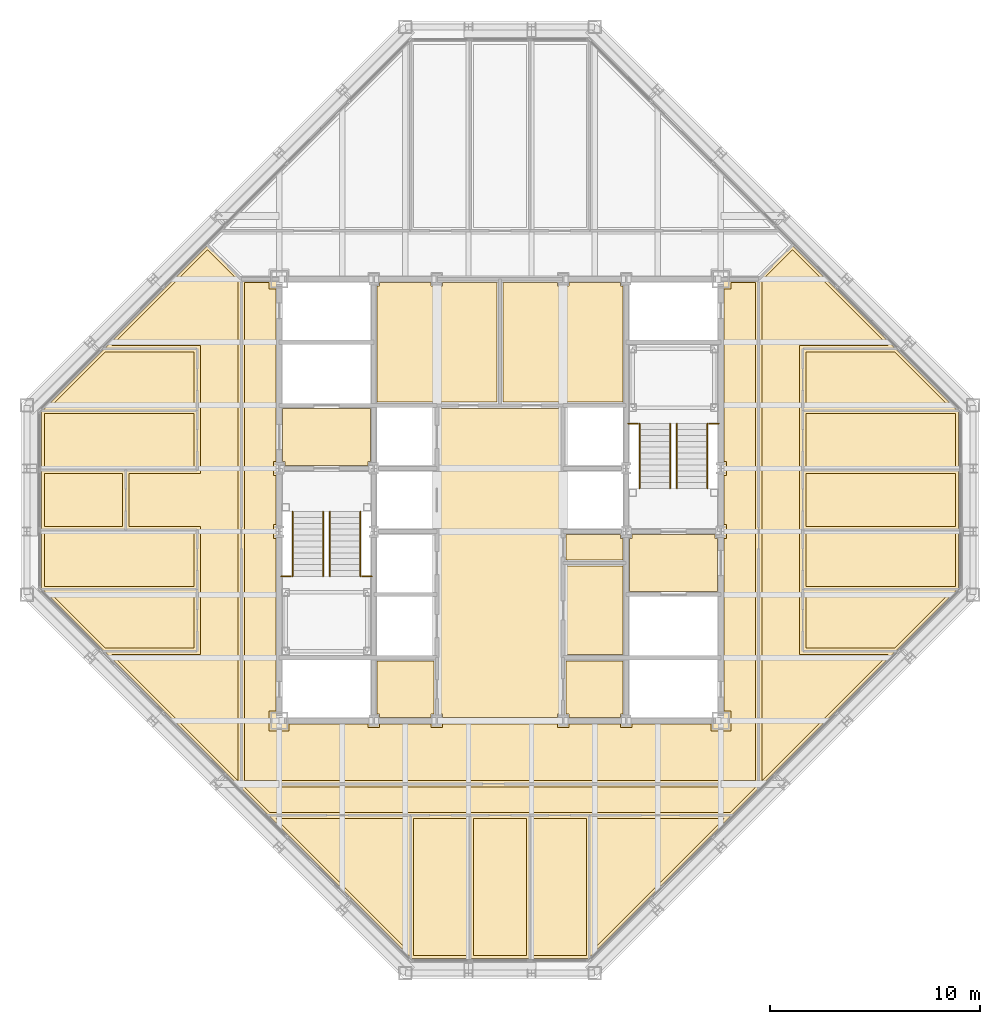
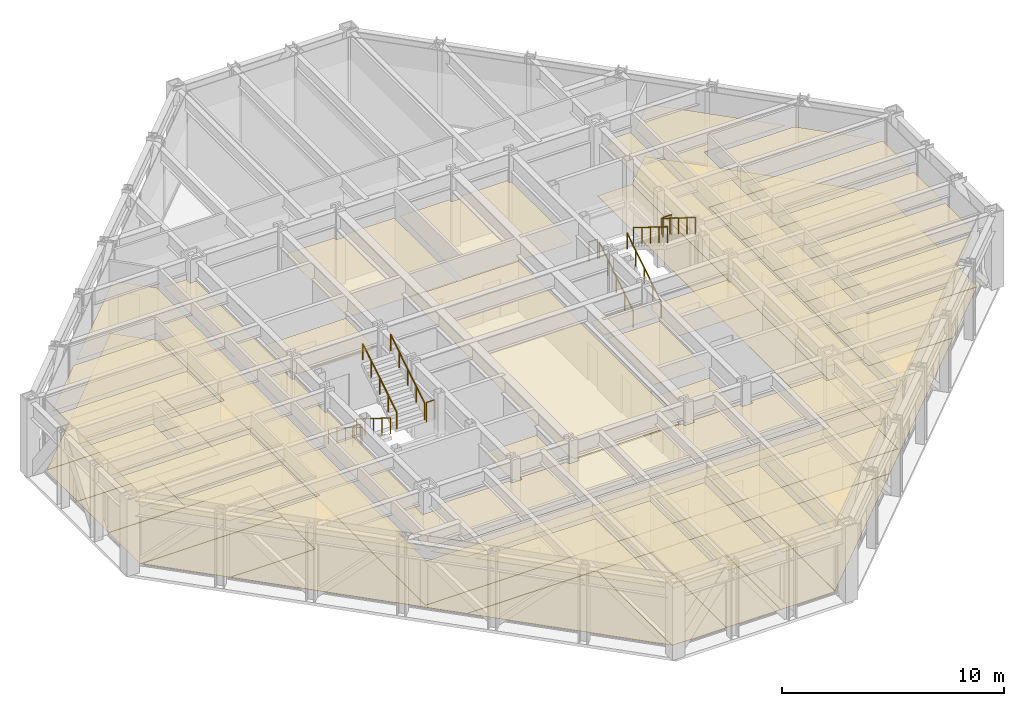
# One storey, part 14 of 15: 45 coverings, 12 railings.
"""IFC4 building model written with IfcOpenShell, lengths in metres."""

from ifc_helpers import new_model, si_unit, direction, frame, origin, origin_2d, place, context, subcontext, project, spatial, polyline, circle, outline, extrude, material, layer, layer_set, type_object, element, save


model = new_model("IFC4")

# Units and contexts
model_context = context("Model", 3, precision=1e-05, world=origin(), true_north=direction((0.0, 1.0)))
body_context = subcontext(model_context, "Body", "Model", "MODEL_VIEW")
ifc_project = project(units=[si_unit("LENGTHUNIT", "METRE"), si_unit("AREAUNIT", "SQUARE_METRE"), si_unit("VOLUMEUNIT", "CUBIC_METRE"), si_unit("PLANEANGLEUNIT", "RADIAN"), si_unit("MASSUNIT", "GRAM", prefix="KILO")], contexts=[model_context])

# Site, building, storey
site_placement = place(None, origin())
site = spatial("IfcSite", under=ifc_project, at=site_placement, CompositionType="ELEMENT")
building_placement = place(site_placement, origin())
building = spatial("IfcBuilding", under=site, at=building_placement, Name="Chuquiago Exchange Tower", CompositionType="ELEMENT")
storey_placement = place(building_placement, frame((0.0, 0.0, 270.60009765625)))
storey = spatial("IfcBuildingStorey", under=building, at=storey_placement, Name="L60", CompositionType="ELEMENT", Elevation=270.60009765625)

# Coverings
ifc_material_1 = material(Name="Mineral fibre tile, 600 x 600, on pale metal grid", Category="mineral fibre")
ifc_layer_1 = layer(ifc_material_1, 0.02001953125)
ifc_layer_set_1 = layer_set([ifc_layer_1], Name="CL1 suspended tile ceiling 20")
covering_type_1 = type_object("IfcCoveringType", Name="CL1 suspended tile ceiling 20", PredefinedType="CEILING", material=ifc_layer_set_1)
covering_1_placement = place(storey_placement, frame((0.0, 0.0, 3.0)))
element("IfcCovering", 1, at=covering_1_placement, inside=storey, type_object=covering_type_1, Name="Ceiling Conference room", PredefinedType="CEILING", context=body_context, shape_type="SweptSolid", body=[
    extrude(outline(polyline([(18.098388671875, 7.35009765625), (18.098388671875, 1.103515625), (11.85205078125, 7.35009765625), (18.098388671875, 7.35009765625)])), origin(), (0.0, 0.0, 1.0), 0.02001953125),
])
covering_2_placement = place(storey_placement, frame((0.0, 0.0, 3.0)))
element("IfcCovering", 2, at=covering_2_placement, inside=storey, type_object=covering_type_1, Name="Ceiling Executive office", PredefinedType="CEILING", context=body_context, shape_type="SweptSolid", body=[
    extrude(outline(polyline([(18.3984375, 7.35009765625), (20.932861328125, 7.35009765625), (20.932861328125, 0.85009765625), (18.3984375, 0.85009765625), (18.3984375, 7.35009765625)])), origin(), (0.0, 0.0, 1.0), 0.02001953125),
])
covering_3_placement = place(storey_placement, frame((0.0, 0.0, 3.0)))
element("IfcCovering", 3, at=covering_3_placement, inside=storey, type_object=covering_type_1, Name="Ceiling Executive office", PredefinedType="CEILING", context=body_context, shape_type="SweptSolid", body=[
    extrude(outline(polyline([(21.23291015625, 7.35009765625), (23.76708984375, 7.35009765625), (23.76708984375, 0.85009765625), (21.23291015625, 0.85009765625), (21.23291015625, 7.35009765625)])), origin(), (0.0, 0.0, 1.0), 0.02001953125),
])
covering_4_placement = place(storey_placement, frame((0.0, 0.0, 3.0)))
element("IfcCovering", 4, at=covering_4_placement, inside=storey, type_object=covering_type_1, Name="Ceiling Meeting room", PredefinedType="CEILING", context=body_context, shape_type="SweptSolid", body=[
    extrude(outline(polyline([(24.067138671875, 0.85009765625), (24.067138671875, 7.35009765625), (26.6015625, 7.35009765625), (26.6015625, 0.85009765625), (24.067138671875, 0.85009765625)])), origin(), (0.0, 0.0, 1.0), 0.02001953125),
])
covering_5_placement = place(storey_placement, frame((0.0, 0.0, 3.0)))
element("IfcCovering", 5, at=covering_5_placement, inside=storey, type_object=covering_type_1, Name="Ceiling Dining room", PredefinedType="CEILING", context=body_context, shape_type="SweptSolid", body=[
    extrude(outline(polyline([(26.901611328125, 7.35009765625), (33.14794921875, 7.35009765625), (26.901611328125, 1.103515625), (26.901611328125, 7.35009765625)])), origin(), (0.0, 0.0, 1.0), 0.02001953125),
])
covering_6_placement = place(storey_placement, frame((0.0, 0.0, 3.0)))
element("IfcCovering", 6, at=covering_6_placement, inside=storey, type_object=covering_type_1, Name="Ceiling Office", PredefinedType="CEILING", context=body_context, shape_type="SweptSolid", body=[
    extrude(outline(polyline([(37.050048828125, 15.45703125), (37.050048828125, 18.098388671875), (43.896484375, 18.098388671875), (41.255126953125, 15.45703125), (37.050048828125, 15.45703125)])), origin(), (0.0, 0.0, 1.0), 0.02001953125),
])
covering_7_placement = place(storey_placement, frame((0.0, 0.0, 3.0)))
element("IfcCovering", 7, at=covering_7_placement, inside=storey, type_object=covering_type_1, Name="Ceiling Executive office", PredefinedType="CEILING", context=body_context, shape_type="SweptSolid", body=[
    extrude(outline(polyline([(37.050048828125, 18.3984375), (37.050048828125, 20.932861328125), (44.14990234375, 20.932861328125), (44.14990234375, 18.3984375), (37.050048828125, 18.3984375)])), origin(), (0.0, 0.0, 1.0), 0.02001953125),
])
covering_8_placement = place(storey_placement, frame((0.0, 0.0, 3.0)))
element("IfcCovering", 8, at=covering_8_placement, inside=storey, type_object=covering_type_1, Name="Ceiling Executive office", PredefinedType="CEILING", context=body_context, shape_type="SweptSolid", body=[
    extrude(outline(polyline([(37.050048828125, 21.23291015625), (37.050048828125, 23.76708984375), (44.14990234375, 23.76708984375), (44.14990234375, 21.23291015625), (37.050048828125, 21.23291015625)])), origin(), (0.0, 0.0, 1.0), 0.02001953125),
])
covering_9_placement = place(storey_placement, frame((0.0, 0.0, 3.0)))
element("IfcCovering", 9, at=covering_9_placement, inside=storey, type_object=covering_type_1, Name="Ceiling Meeting room", PredefinedType="CEILING", context=body_context, shape_type="SweptSolid", body=[
    extrude(outline(polyline([(44.14990234375, 24.067138671875), (37.050048828125, 24.067138671875), (37.050048828125, 26.6015625), (44.14990234375, 26.6015625), (44.14990234375, 24.067138671875)])), origin(), (0.0, 0.0, 1.0), 0.02001953125),
])
covering_10_placement = place(storey_placement, frame((0.0, 0.0, 3.0)))
element("IfcCovering", 10, at=covering_10_placement, inside=storey, type_object=covering_type_1, Name="Ceiling Office", PredefinedType="CEILING", context=body_context, shape_type="SweptSolid", body=[
    extrude(outline(polyline([(37.050048828125, 26.901611328125), (37.050048828125, 29.54296875), (41.255126953125, 29.54296875), (43.896484375, 26.901611328125), (37.050048828125, 26.901611328125)])), origin(), (0.0, 0.0, 1.0), 0.02001953125),
])
covering_11_placement = place(storey_placement, frame((0.0, 0.0, 3.0)))
element("IfcCovering", 11, at=covering_11_placement, inside=storey, type_object=covering_type_1, Name="Ceiling Executive office", PredefinedType="CEILING", context=body_context, shape_type="SweptSolid", body=[
    extrude(outline(polyline([(7.949951171875, 18.098388671875), (7.949951171875, 15.45703125), (3.744873046875, 15.45703125), (1.103515625, 18.098388671875), (7.949951171875, 18.098388671875)])), origin(), (0.0, 0.0, 1.0), 0.02001953125),
])
covering_12_placement = place(storey_placement, frame((0.0, 0.0, 3.0)))
element("IfcCovering", 12, at=covering_12_placement, inside=storey, type_object=covering_type_1, Name="Ceiling Office", PredefinedType="CEILING", context=body_context, shape_type="SweptSolid", body=[
    extrude(outline(polyline([(0.85009765625, 20.932861328125), (7.949951171875, 20.932861328125), (7.949951171875, 18.3984375), (0.85009765625, 18.3984375), (0.85009765625, 20.932861328125)])), origin(), (0.0, 0.0, 1.0), 0.02001953125),
])
covering_13_placement = place(storey_placement, frame((0.0, 0.0, 3.0)))
element("IfcCovering", 13, at=covering_13_placement, inside=storey, type_object=covering_type_1, Name="Ceiling Pantry", PredefinedType="CEILING", context=body_context, shape_type="SweptSolid", body=[
    extrude(outline(polyline([(4.550048828125, 23.76708984375), (4.550048828125, 21.23291015625), (0.85009765625, 21.23291015625), (0.85009765625, 23.76708984375), (4.550048828125, 23.76708984375)])), origin(), (0.0, 0.0, 1.0), 0.02001953125),
])
covering_14_placement = place(storey_placement, frame((0.0, 0.0, 3.0)))
element("IfcCovering", 14, at=covering_14_placement, inside=storey, type_object=covering_type_1, Name="Ceiling Office", PredefinedType="CEILING", context=body_context, shape_type="SweptSolid", body=[
    extrude(outline(polyline([(7.949951171875, 26.6015625), (7.949951171875, 24.067138671875), (0.85009765625, 24.067138671875), (0.85009765625, 26.6015625), (7.949951171875, 26.6015625)])), origin(), (0.0, 0.0, 1.0), 0.02001953125),
])
covering_15_placement = place(storey_placement, frame((0.0, 0.0, 3.0)))
element("IfcCovering", 15, at=covering_15_placement, inside=storey, type_object=covering_type_1, Name="Ceiling Executive office", PredefinedType="CEILING", context=body_context, shape_type="SweptSolid", body=[
    extrude(outline(polyline([(7.949951171875, 29.54296875), (7.949951171875, 26.901611328125), (1.103515625, 26.901611328125), (3.744873046875, 29.54296875), (7.949951171875, 29.54296875)])), origin(), (0.0, 0.0, 1.0), 0.02001953125),
])
covering_16_placement = place(storey_placement, frame((0.0, 0.0, 3.0)))
element("IfcCovering", 16, at=covering_16_placement, inside=storey, type_object=covering_type_1, Name="Ceiling Executive corridor", PredefinedType="CEILING", context=body_context, shape_type="SweptSolid", body=[
    extrude(outline(polyline([(16.22509765625, 11.85009765625), (16.22509765625, 11.67578125), (16.77490234375, 11.67578125), (16.77490234375, 11.85009765625), (19.22509765625, 11.85009765625), (19.22509765625, 11.67578125), (19.77490234375, 11.67578125), (19.77490234375, 11.85009765625), (25.22509765625, 11.85009765625), (25.22509765625, 11.67578125), (25.77490234375, 11.67578125), (25.77490234375, 11.85009765625), (28.22509765625, 11.85009765625), (28.22509765625, 11.67578125), (28.77490234375, 11.67578125), (28.77490234375, 11.85009765625), (32.52490234375, 11.85009765625), (32.52490234375, 11.52490234375), (33.47509765625, 11.52490234375), (33.47509765625, 12.47509765625), (33.14990234375, 12.47509765625), (33.14990234375, 20.67578125), (33.27490234375, 20.67578125), (33.27490234375, 21.32421875), (33.14990234375, 21.32421875), (33.14990234375, 23.67578125), (33.27490234375, 23.67578125), (33.27490234375, 24.32421875), (33.14990234375, 24.32421875), (33.14990234375, 32.52490234375), (33.47509765625, 32.52490234375), (33.47509765625, 32.85009765625), (34.64990234375, 32.85009765625), (34.64990234375, 9.14990234375), (10.35009765625, 9.14990234375), (10.35009765625, 32.85009765625), (11.52490234375, 32.85009765625), (11.52490234375, 32.52490234375), (11.85009765625, 32.52490234375), (11.85009765625, 24.32421875), (11.72509765625, 24.32421875), (11.72509765625, 23.67578125), (11.85009765625, 23.67578125), (11.85009765625, 21.32421875), (11.72509765625, 21.32421875), (11.72509765625, 20.67578125), (11.85009765625, 20.67578125), (11.85009765625, 12.47509765625), (11.52490234375, 12.47509765625), (11.52490234375, 11.52490234375), (12.47509765625, 11.52490234375), (12.47509765625, 11.85009765625), (16.22509765625, 11.85009765625)])), origin(), (0.0, 0.0, 1.0), 0.02001953125),
])
covering_17_placement = place(storey_placement, frame((0.0, 0.0, 3.0)))
element("IfcCovering", 17, at=covering_17_placement, inside=storey, type_object=covering_type_1, Name="Ceiling Executive reception west", PredefinedType="CEILING", context=body_context, shape_type="SweptSolid", body=[
    extrude(outline(polyline([(8.594482421875, 34.392578125), (10.050048828125, 32.9375), (10.050048828125, 9.152099609375), (4.044921875, 15.156982421875), (8.25, 15.156982421875), (8.25, 21.23291015625), (4.85009765625, 21.23291015625), (4.85009765625, 23.76708984375), (8.25, 23.76708984375), (8.25, 29.843017578125), (4.044921875, 29.843017578125), (8.594482421875, 34.392578125)])), origin(), (0.0, 0.0, 1.0), 0.02001953125),
])
covering_18_placement = place(storey_placement, frame((0.0, 0.0, 3.0)))
element("IfcCovering", 18, at=covering_18_placement, inside=storey, type_object=covering_type_1, Name="Ceiling Executive reception west", PredefinedType="CEILING", context=body_context, shape_type="SweptSolid", body=[
    extrude(outline(polyline([(34.949951171875, 32.9375), (36.405517578125, 34.392578125), (40.955078125, 29.843017578125), (36.75, 29.843017578125), (36.75, 15.156982421875), (40.955078125, 15.156982421875), (34.949951171875, 9.152099609375), (34.949951171875, 32.9375)])), origin(), (0.0, 0.0, 1.0), 0.02001953125),
])
covering_19_placement = place(storey_placement, frame((0.0, 0.0, 3.0)))
element("IfcCovering", 19, at=covering_19_placement, inside=storey, type_object=covering_type_1, Name="Ceiling Executive reception west", PredefinedType="CEILING", context=body_context, shape_type="SweptSolid", body=[
    extrude(outline(polyline([(34.64794921875, 8.85009765625), (33.447998046875, 7.64990234375), (11.552001953125, 7.64990234375), (10.35205078125, 8.85009765625), (34.64794921875, 8.85009765625)])), origin(), (0.0, 0.0, 1.0), 0.02001953125),
])
covering_20_placement = place(storey_placement, frame((0.0, 0.0, 3.0)))
element("IfcCovering", 20, at=covering_20_placement, inside=storey, type_object=covering_type_1, Name="Ceiling IT equipment room", PredefinedType="CEILING", context=body_context, shape_type="SweptSolid", body=[
    extrude(outline(polyline([(25.64990234375, 15.14990234375), (25.64990234375, 19.35009765625), (28.35009765625, 19.35009765625), (28.35009765625, 15.14990234375), (25.64990234375, 15.14990234375)])), origin(), (0.0, 0.0, 1.0), 0.02001953125),
])
covering_21_placement = place(storey_placement, frame((0.0, 0.0, 3.0)))
element("IfcCovering", 21, at=covering_21_placement, inside=storey, type_object=covering_type_1, Name="Ceiling Vending room", PredefinedType="CEILING", context=body_context, shape_type="SweptSolid", body=[
    extrude(outline(polyline([(25.64990234375, 19.64990234375), (25.64990234375, 20.85009765625), (28.22509765625, 20.85009765625), (28.22509765625, 20.67578125), (28.35009765625, 20.67578125), (28.35009765625, 19.64990234375), (25.64990234375, 19.64990234375)])), origin(), (0.0, 0.0, 1.0), 0.02001953125),
])
ifc_material_2 = material(Name="Moisture resistant plasterboard on metal frame", Category="gypsum")
ifc_layer_2 = layer(ifc_material_2, 0.014892578125)
ifc_layer_set_2 = layer_set([ifc_layer_2], Name="CL2 moisture resistant ceiling 15")
covering_type_2 = type_object("IfcCoveringType", Name="CL2 moisture resistant ceiling 15", PredefinedType="CEILING", material=ifc_layer_set_2)
covering_22_placement = place(storey_placement, frame((0.0, 0.0, 2.599853515625)))
element("IfcCovering", 22, at=covering_22_placement, inside=storey, type_object=covering_type_2, Name="Ceiling Male WC", PredefinedType="CEILING", context=body_context, shape_type="SweptSolid", body=[
    extrude(outline(polyline([(16.64990234375, 27.14990234375), (16.64990234375, 32.67578125), (16.77490234375, 32.67578125), (16.77490234375, 32.85009765625), (19.22509765625, 32.85009765625), (19.22509765625, 32.67578125), (19.77490234375, 32.67578125), (19.77490234375, 32.85009765625), (22.35009765625, 32.85009765625), (22.35009765625, 27.14990234375), (16.64990234375, 27.14990234375)])), origin(), (0.0, 0.0, 1.0), 0.01513671875),
])
covering_23_placement = place(storey_placement, frame((0.0, 0.0, 2.599853515625)))
element("IfcCovering", 23, at=covering_23_placement, inside=storey, type_object=covering_type_2, Name="Ceiling Female WC", PredefinedType="CEILING", context=body_context, shape_type="SweptSolid", body=[
    extrude(outline(polyline([(22.64990234375, 27.14990234375), (22.64990234375, 32.85009765625), (25.22509765625, 32.85009765625), (25.22509765625, 32.67578125), (25.77490234375, 32.67578125), (25.77490234375, 32.85009765625), (28.22509765625, 32.85009765625), (28.22509765625, 32.67578125), (28.35009765625, 32.67578125), (28.35009765625, 27.14990234375), (22.64990234375, 27.14990234375)])), origin(), (0.0, 0.0, 1.0), 0.01513671875),
])
covering_24_placement = place(storey_placement, frame((0.0, 0.0, 2.599853515625)))
element("IfcCovering", 24, at=covering_24_placement, inside=storey, type_object=covering_type_2, Name="Ceiling Accessible WC", PredefinedType="CEILING", context=body_context, shape_type="SweptSolid", body=[
    extrude(outline(polyline([(25.77490234375, 12.14990234375), (25.77490234375, 12.32421875), (25.64990234375, 12.32421875), (25.64990234375, 14.85009765625), (28.35009765625, 14.85009765625), (28.35009765625, 12.32421875), (28.22509765625, 12.32421875), (28.22509765625, 12.14990234375), (25.77490234375, 12.14990234375)])), origin(), (0.0, 0.0, 1.0), 0.01513671875),
])
covering_25_placement = place(storey_placement, frame((0.0, 0.0, 2.599853515625)))
element("IfcCovering", 25, at=covering_25_placement, inside=storey, type_object=covering_type_2, Name="Ceiling Cleaner", PredefinedType="CEILING", context=body_context, shape_type="SweptSolid", body=[
    extrude(outline(polyline([(16.77490234375, 12.14990234375), (16.77490234375, 12.32421875), (16.64990234375, 12.32421875), (16.64990234375, 14.85009765625), (19.35009765625, 14.85009765625), (19.35009765625, 12.32421875), (19.22509765625, 12.32421875), (19.22509765625, 12.14990234375), (16.77490234375, 12.14990234375)])), origin(), (0.0, 0.0, 1.0), 0.01513671875),
])
ifc_material_3 = material(Name="Pale metal plank ceiling, perforated", Category="aluminium")
ifc_layer_3 = layer(ifc_material_3, 0.030029296875)
ifc_layer_set_3 = layer_set([ifc_layer_3], Name="CL3 metal plank ceiling 30")
covering_type_3 = type_object("IfcCoveringType", Name="CL3 metal plank ceiling 30", PredefinedType="CEILING", material=ifc_layer_set_3)
covering_26_placement = place(storey_placement, frame((0.0, 0.0, 2.7998046875)))
element("IfcCovering", 26, at=covering_26_placement, inside=storey, type_object=covering_type_3, Name="Ceiling Lift lobby", PredefinedType="CEILING", context=body_context, shape_type="SweptSolid", body=[
    extrude(outline(polyline([(19.77490234375, 12.14990234375), (19.77490234375, 12.32421875), (19.64990234375, 12.32421875), (19.64990234375, 26.85009765625), (25.35009765625, 26.85009765625), (25.35009765625, 12.32421875), (25.22509765625, 12.32421875), (25.22509765625, 12.14990234375), (19.77490234375, 12.14990234375)])), origin(), (0.0, 0.0, 1.0), 0.030029296875),
])
covering_27_placement = place(storey_placement, frame((0.0, 0.0, 2.7998046875)))
element("IfcCovering", 27, at=covering_27_placement, inside=storey, type_object=covering_type_3, Name="Ceiling Firefighting lobby", PredefinedType="CEILING", context=body_context, shape_type="SweptSolid", body=[
    extrude(outline(polyline([(12.27490234375, 24.14990234375), (12.27490234375, 24.32421875), (12.14990234375, 24.32421875), (12.14990234375, 26.85009765625), (16.35009765625, 26.85009765625), (16.35009765625, 24.32421875), (16.22509765625, 24.32421875), (16.22509765625, 24.14990234375), (12.27490234375, 24.14990234375)])), origin(), (0.0, 0.0, 1.0), 0.030029296875),
])
covering_28_placement = place(storey_placement, frame((0.0, 0.0, 2.7998046875)))
element("IfcCovering", 28, at=covering_28_placement, inside=storey, type_object=covering_type_3, Name="Ceiling Firefighting lobby", PredefinedType="CEILING", context=body_context, shape_type="SweptSolid", body=[
    extrude(outline(polyline([(28.64990234375, 18.14990234375), (28.64990234375, 20.67578125), (28.77490234375, 20.67578125), (28.77490234375, 20.85009765625), (32.72509765625, 20.85009765625), (32.72509765625, 20.67578125), (32.85009765625, 20.67578125), (32.85009765625, 18.14990234375), (28.64990234375, 18.14990234375)])), origin(), (0.0, 0.0, 1.0), 0.030029296875),
])
ifc_material_4 = material(Name="Carpet tile, 500 x 500, on the floor slab", Category="textile")
ifc_layer_4 = layer(ifc_material_4, 0.010009765625)
ifc_layer_set_4 = layer_set([ifc_layer_4], Name="FL1 carpet tile 10")
covering_type_4 = type_object("IfcCoveringType", Name="FL1 carpet tile 10", PredefinedType="FLOORING", material=ifc_layer_set_4)
covering_29_placement = place(storey_placement, origin())
element("IfcCovering", 29, at=covering_29_placement, inside=storey, type_object=covering_type_4, Name="Floor finish Conference room", PredefinedType="FLOORING", context=body_context, shape_type="SweptSolid", body=[
    extrude(outline(polyline([(11.489990234375, 7.5), (18.24853515625, 7.5), (18.24853515625, 0.741455078125), (11.489990234375, 7.5)])), origin(), (0.0, 0.0, 1.0), 0.010009765625),
])
covering_30_placement = place(storey_placement, origin())
element("IfcCovering", 30, at=covering_30_placement, inside=storey, type_object=covering_type_4, Name="Floor finish Executive office", PredefinedType="FLOORING", context=body_context, shape_type="SweptSolid", body=[
    extrude(outline(polyline([(18.289794921875, 0.699951171875), (18.24853515625, 0.741455078125), (18.24853515625, 7.5), (21.082763671875, 7.5), (21.082763671875, 0.699951171875), (18.289794921875, 0.699951171875)])), origin(), (0.0, 0.0, 1.0), 0.010009765625),
])
covering_31_placement = place(storey_placement, origin())
element("IfcCovering", 31, at=covering_31_placement, inside=storey, type_object=covering_type_4, Name="Floor finish Executive office", PredefinedType="FLOORING", context=body_context, shape_type="SweptSolid", body=[
    extrude(outline(polyline([(21.082763671875, 0.699951171875), (21.082763671875, 7.5), (23.917236328125, 7.5), (23.917236328125, 0.699951171875), (21.082763671875, 0.699951171875)])), origin(), (0.0, 0.0, 1.0), 0.010009765625),
])
covering_32_placement = place(storey_placement, origin())
element("IfcCovering", 32, at=covering_32_placement, inside=storey, type_object=covering_type_4, Name="Floor finish Meeting room", PredefinedType="FLOORING", context=body_context, shape_type="SweptSolid", body=[
    extrude(outline(polyline([(26.710205078125, 0.699951171875), (23.917236328125, 0.699951171875), (23.917236328125, 7.5), (26.75146484375, 7.5), (26.75146484375, 0.741455078125), (26.710205078125, 0.699951171875)])), origin(), (0.0, 0.0, 1.0), 0.010009765625),
])
covering_33_placement = place(storey_placement, origin())
element("IfcCovering", 33, at=covering_33_placement, inside=storey, type_object=covering_type_4, Name="Floor finish Office", PredefinedType="FLOORING", context=body_context, shape_type="SweptSolid", body=[
    extrude(outline(polyline([(41.317138671875, 15.30712890625), (36.89990234375, 15.30712890625), (36.89990234375, 18.24853515625), (44.258544921875, 18.24853515625), (41.317138671875, 15.30712890625)])), origin(), (0.0, 0.0, 1.0), 0.010009765625),
])
covering_34_placement = place(storey_placement, origin())
element("IfcCovering", 34, at=covering_34_placement, inside=storey, type_object=covering_type_4, Name="Floor finish Executive office", PredefinedType="FLOORING", context=body_context, shape_type="SweptSolid", body=[
    extrude(outline(polyline([(44.300048828125, 18.289794921875), (44.258544921875, 18.24853515625), (36.89990234375, 18.24853515625), (36.89990234375, 21.082763671875), (44.300048828125, 21.082763671875), (44.300048828125, 18.289794921875)])), origin(), (0.0, 0.0, 1.0), 0.010009765625),
])
covering_35_placement = place(storey_placement, origin())
element("IfcCovering", 35, at=covering_35_placement, inside=storey, type_object=covering_type_4, Name="Floor finish Executive office", PredefinedType="FLOORING", context=body_context, shape_type="SweptSolid", body=[
    extrude(outline(polyline([(44.300048828125, 21.082763671875), (36.89990234375, 21.082763671875), (36.89990234375, 23.917236328125), (44.300048828125, 23.917236328125), (44.300048828125, 21.082763671875)])), origin(), (0.0, 0.0, 1.0), 0.010009765625),
])
covering_36_placement = place(storey_placement, origin())
element("IfcCovering", 36, at=covering_36_placement, inside=storey, type_object=covering_type_4, Name="Floor finish Meeting room", PredefinedType="FLOORING", context=body_context, shape_type="SweptSolid", body=[
    extrude(outline(polyline([(44.300048828125, 26.710205078125), (44.300048828125, 23.917236328125), (36.89990234375, 23.917236328125), (36.89990234375, 26.75146484375), (44.258544921875, 26.75146484375), (44.300048828125, 26.710205078125)])), origin(), (0.0, 0.0, 1.0), 0.010009765625),
])
covering_37_placement = place(storey_placement, origin())
element("IfcCovering", 37, at=covering_37_placement, inside=storey, type_object=covering_type_4, Name="Floor finish Office", PredefinedType="FLOORING", context=body_context, shape_type="SweptSolid", body=[
    extrude(outline(polyline([(44.258544921875, 26.75146484375), (36.89990234375, 26.75146484375), (36.89990234375, 29.69287109375), (41.317138671875, 29.69287109375), (44.258544921875, 26.75146484375)])), origin(), (0.0, 0.0, 1.0), 0.010009765625),
])
covering_38_placement = place(storey_placement, origin())
element("IfcCovering", 38, at=covering_38_placement, inside=storey, type_object=covering_type_4, Name="Floor finish Executive office", PredefinedType="FLOORING", context=body_context, shape_type="SweptSolid", body=[
    extrude(outline(polyline([(0.741455078125, 18.24853515625), (8.10009765625, 18.24853515625), (8.10009765625, 15.30712890625), (3.682861328125, 15.30712890625), (0.741455078125, 18.24853515625)])), origin(), (0.0, 0.0, 1.0), 0.010009765625),
])
covering_39_placement = place(storey_placement, origin())
element("IfcCovering", 39, at=covering_39_placement, inside=storey, type_object=covering_type_4, Name="Floor finish Office", PredefinedType="FLOORING", context=body_context, shape_type="SweptSolid", body=[
    extrude(outline(polyline([(0.699951171875, 21.082763671875), (8.10009765625, 21.082763671875), (8.10009765625, 18.24853515625), (0.741455078125, 18.24853515625), (0.699951171875, 18.289794921875), (0.699951171875, 21.082763671875)])), origin(), (0.0, 0.0, 1.0), 0.010009765625),
])
covering_40_placement = place(storey_placement, origin())
element("IfcCovering", 40, at=covering_40_placement, inside=storey, type_object=covering_type_4, Name="Floor finish Office", PredefinedType="FLOORING", context=body_context, shape_type="SweptSolid", body=[
    extrude(outline(polyline([(0.699951171875, 26.710205078125), (0.741455078125, 26.75146484375), (8.10009765625, 26.75146484375), (8.10009765625, 23.917236328125), (0.699951171875, 23.917236328125), (0.699951171875, 26.710205078125)])), origin(), (0.0, 0.0, 1.0), 0.010009765625),
])
covering_41_placement = place(storey_placement, origin())
element("IfcCovering", 41, at=covering_41_placement, inside=storey, type_object=covering_type_4, Name="Floor finish Executive office", PredefinedType="FLOORING", context=body_context, shape_type="SweptSolid", body=[
    extrude(outline(polyline([(3.682861328125, 29.69287109375), (8.10009765625, 29.69287109375), (8.10009765625, 26.75146484375), (0.741455078125, 26.75146484375), (3.682861328125, 29.69287109375)])), origin(), (0.0, 0.0, 1.0), 0.010009765625),
])
ifc_material_5 = material(Name="Porcelain floor tile, 600 x 600, on adhesive bed", Category="ceramic")
ifc_layer_5 = layer(ifc_material_5, 0.014892578125)
ifc_layer_set_5 = layer_set([ifc_layer_5], Name="FL2 porcelain tile 15")
covering_type_5 = type_object("IfcCoveringType", Name="FL2 porcelain tile 15", PredefinedType="FLOORING", material=ifc_layer_set_5)
covering_42_placement = place(storey_placement, origin())
element("IfcCovering", 42, at=covering_42_placement, inside=storey, type_object=covering_type_5, Name="Floor finish Dining room", PredefinedType="FLOORING", context=body_context, shape_type="SweptSolid", body=[
    extrude(outline(polyline([(26.75146484375, 0.741455078125), (26.75146484375, 7.5), (33.510009765625, 7.5), (26.75146484375, 0.741455078125)])), origin(), (0.0, 0.0, 1.0), 0.014892578125),
])
covering_43_placement = place(storey_placement, origin())
element("IfcCovering", 43, at=covering_43_placement, inside=storey, type_object=covering_type_5, Name="Floor finish Pantry", PredefinedType="FLOORING", context=body_context, shape_type="SweptSolid", body=[
    extrude(outline(polyline([(0.699951171875, 23.917236328125), (4.699951171875, 23.917236328125), (4.699951171875, 21.082763671875), (0.699951171875, 21.082763671875), (0.699951171875, 23.917236328125)])), origin(), (0.0, 0.0, 1.0), 0.014892578125),
])
covering_44_placement = place(storey_placement, origin())
element("IfcCovering", 44, at=covering_44_placement, inside=storey, type_object=covering_type_5, Name="Floor finish Executive corridor", PredefinedType="FLOORING", context=body_context, shape_type="SweptSolid", body=[
    extrude(outline(polyline([(12.0, 12.0), (33.0, 12.0), (33.0, 33.0), (34.800048828125, 33.0), (34.800048828125, 9.0), (10.199951171875, 9.0), (10.199951171875, 33.0), (12.0, 33.0), (12.0, 12.0)])), origin(), (0.0, 0.0, 1.0), 0.014892578125),
])
covering_45_placement = place(storey_placement, origin())
element("IfcCovering", 45, at=covering_45_placement, inside=storey, type_object=covering_type_5, Name="Floor finish Executive reception west", PredefinedType="FLOORING", context=body_context, shape_type="SweptSolid", body=[
    extrude(outline(polyline([(41.317138671875, 29.69287109375), (36.89990234375, 29.69287109375), (36.89990234375, 26.75146484375), (36.89990234375, 15.30712890625), (41.317138671875, 15.30712890625), (33.510009765625, 7.5), (11.489990234375, 7.5), (18.24853515625, 0.741455078125), (3.682861328125, 15.30712890625), (8.10009765625, 15.30712890625), (8.10009765625, 21.082763671875), (4.699951171875, 21.082763671875), (4.699951171875, 23.917236328125), (8.10009765625, 23.917236328125), (8.10009765625, 29.69287109375), (3.682861328125, 29.69287109375), (0.8505859375, 26.860595703125), (8.594482421875, 34.604736328125), (10.199951171875, 32.99951171875), (10.199951171875, 9.0), (34.800048828125, 9.0), (34.800048828125, 32.99951171875), (36.405517578125, 34.604736328125), (41.317138671875, 29.69287109375)])), origin(), (0.0, 0.0, 1.0), 0.014892578125),
])

# Railings
ifc_material_6 = material(Name="Pale metal guard with safety glass infill", Category="glass")
railing_type_1 = type_object("IfcRailingType", Name="GR1 guard 1100", PredefinedType="GUARDRAIL", material=ifc_material_6)
for number, where, name in (
    (46, (12.10009765625, 18.8701171875, 2.099853515625), "Guard ST1 L60 landing 2"),
    (47, (15.945068359375, 18.8701171875, 2.099853515625), "Guard ST1 L60 landing 2"),
    (48, (28.60009765625, 26.1298828125, 2.099853515625), "Guard ST2 L60 landing 2"),
    (49, (32.445068359375, 26.1298828125, 2.099853515625), "Guard ST2 L60 landing 2"),
):
    element("IfcRailing", number, at=place(storey_placement, frame(where)), inside=storey, type_object=railing_type_1, Name=name, PredefinedType="GUARDRAIL", context=body_context, shape_type="SweptSolid", body=[
        extrude(circle(Radius=0.02392578125, at=origin_2d()), frame((0.0, 0.0, 1.076171875), z_axis=(1.0, 0.0, 0.0), x_axis=(0.0, 1.0, 0.0)), (0.0, 0.0, 1.0), 0.454833984375),
        extrude(circle(Radius=0.02099609375, at=origin_2d()), origin(), (0.0, 0.0, 1.0), 1.052001953125),
        extrude(circle(Radius=0.02099609375, at=origin_2d()), frame((0.454833984375, 0.0, 0.0)), (0.0, 0.0, 1.0), 1.052001953125),
    ])
ifc_material_7 = material(Name="Pale metal handrail", Category="steel")
railing_type_2 = type_object("IfcRailingType", Name="HR1 handrail 900", PredefinedType="HANDRAIL", material=ifc_material_7)
for number, where, name in (
    (50, (12.635009765625, 21.949951171875, 0.1748046875), "Handrail ST1 L60 flight 1"),
    (51, (14.0849609375, 21.949951171875, 0.1748046875), "Handrail ST1 L60 flight 1"),
):
    element("IfcRailing", number, at=place(storey_placement, frame(where)), inside=storey, type_object=railing_type_2, Name=name, PredefinedType="HANDRAIL", context=body_context, shape_type="SweptSolid", body=[
        extrude(circle(Radius=0.02392578125, at=origin_2d()), frame((0.0, 0.0, 0.8759765625), z_axis=(0.0, -0.847979421464, 0.530029150871), x_axis=(1.0, 0.0, 0.0)), (0.0, 0.0, 1.0), 3.632080078125),
        extrude(circle(Radius=0.02099609375, at=origin_2d()), origin(), (0.0, 0.0, 1.0), 0.851806640625),
        extrude(circle(Radius=0.02099609375, at=origin_2d()), frame((0.0, -0.77001953125, 0.481201171875)), (0.0, 0.0, 1.0), 0.851806640625),
        extrude(circle(Radius=0.02099609375, at=origin_2d()), frame((0.0, -1.5400390625, 0.96240234375)), (0.0, 0.0, 1.0), 0.851806640625),
        extrude(circle(Radius=0.02099609375, at=origin_2d()), frame((0.0, -2.309814453125, 1.44384765625)), (0.0, 0.0, 1.0), 0.851806640625),
        extrude(circle(Radius=0.02099609375, at=origin_2d()), frame((0.0, -3.079833984375, 1.925048828125)), (0.0, 0.0, 1.0), 0.851806640625),
    ])
for number, where, name in (
    (52, (15.864990234375, 18.8701171875, 2.27490234375), "Handrail ST1 L60 flight 2"),
    (53, (14.4150390625, 18.8701171875, 2.27490234375), "Handrail ST1 L60 flight 2"),
    (54, (30.5849609375, 23.050048828125, 0.1748046875), "Handrail ST2 L60 flight 1"),
    (55, (29.135009765625, 23.050048828125, 0.1748046875), "Handrail ST2 L60 flight 1"),
):
    element("IfcRailing", number, at=place(storey_placement, frame(where)), inside=storey, type_object=railing_type_2, Name=name, PredefinedType="HANDRAIL", context=body_context, shape_type="SweptSolid", body=[
        extrude(circle(Radius=0.02392578125, at=origin_2d()), frame((0.0, 0.0, 0.8759765625), z_axis=(0.0, 0.847979421464, 0.530029150871), x_axis=(-1.0, 0.0, 0.0)), (0.0, 0.0, 1.0), 3.632080078125),
        extrude(circle(Radius=0.02099609375, at=origin_2d()), origin(), (0.0, 0.0, 1.0), 0.851806640625),
        extrude(circle(Radius=0.02099609375, at=origin_2d()), frame((0.0, 0.77001953125, 0.481201171875)), (0.0, 0.0, 1.0), 0.851806640625),
        extrude(circle(Radius=0.02099609375, at=origin_2d()), frame((0.0, 1.5400390625, 0.96240234375)), (0.0, 0.0, 1.0), 0.851806640625),
        extrude(circle(Radius=0.02099609375, at=origin_2d()), frame((0.0, 2.309814453125, 1.44384765625)), (0.0, 0.0, 1.0), 0.851806640625),
        extrude(circle(Radius=0.02099609375, at=origin_2d()), frame((0.0, 3.079833984375, 1.925048828125)), (0.0, 0.0, 1.0), 0.851806640625),
    ])
for number, where, name in (
    (56, (30.9150390625, 26.1298828125, 2.27490234375), "Handrail ST2 L60 flight 2"),
    (57, (32.364990234375, 26.1298828125, 2.27490234375), "Handrail ST2 L60 flight 2"),
):
    element("IfcRailing", number, at=place(storey_placement, frame(where)), inside=storey, type_object=railing_type_2, Name=name, PredefinedType="HANDRAIL", context=body_context, shape_type="SweptSolid", body=[
        extrude(circle(Radius=0.02392578125, at=origin_2d()), frame((0.0, 0.0, 0.8759765625), z_axis=(0.0, -0.847979421464, 0.530029150871), x_axis=(1.0, 0.0, 0.0)), (0.0, 0.0, 1.0), 3.632080078125),
        extrude(circle(Radius=0.02099609375, at=origin_2d()), origin(), (0.0, 0.0, 1.0), 0.851806640625),
        extrude(circle(Radius=0.02099609375, at=origin_2d()), frame((0.0, -0.77001953125, 0.481201171875)), (0.0, 0.0, 1.0), 0.851806640625),
        extrude(circle(Radius=0.02099609375, at=origin_2d()), frame((0.0, -1.5400390625, 0.96240234375)), (0.0, 0.0, 1.0), 0.851806640625),
        extrude(circle(Radius=0.02099609375, at=origin_2d()), frame((0.0, -2.309814453125, 1.44384765625)), (0.0, 0.0, 1.0), 0.851806640625),
        extrude(circle(Radius=0.02099609375, at=origin_2d()), frame((0.0, -3.079833984375, 1.925048828125)), (0.0, 0.0, 1.0), 0.851806640625),
    ])

save(model, "model.ifc")
